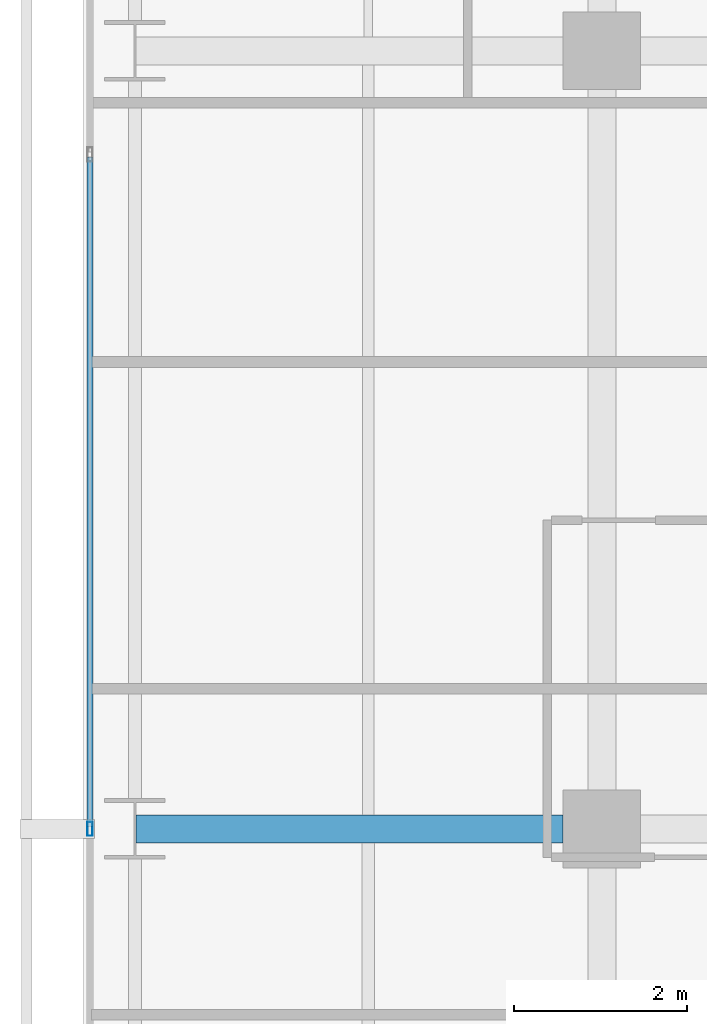
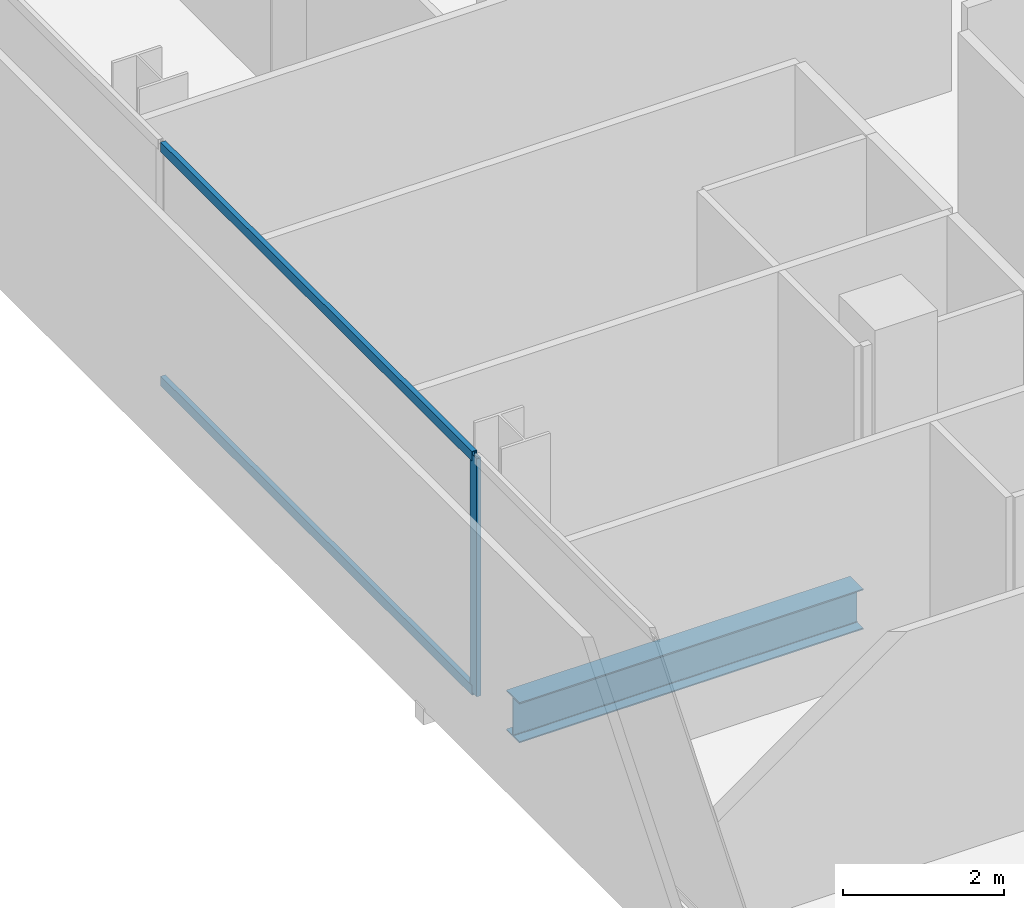
# One storey, part 12 of 40: 3 members, 1 beam, 1 element without a shape of its own.
"""IFC4 building model written with IfcOpenShell, lengths in metres."""

from ifc_helpers import new_model, si_unit, direction, frame, origin, origin_2d, place, context, subcontext, project, spatial, hollow_rectangle, i_section, extrude, material, layer, layer_set, material_profile, profile_set, type_object, element, aggregate, save


model = new_model("IFC4")

# Units and contexts
model_context = context("Model", 3, precision=1e-05, world=origin(), true_north=direction((0.0, 1.0)))
body_context = subcontext(model_context, "Body", "Model", "MODEL_VIEW")
ifc_project = project(units=[si_unit("LENGTHUNIT", "METRE"), si_unit("AREAUNIT", "SQUARE_METRE"), si_unit("VOLUMEUNIT", "CUBIC_METRE"), si_unit("PLANEANGLEUNIT", "RADIAN"), si_unit("MASSUNIT", "GRAM", prefix="KILO")], contexts=[model_context])

# Site, building, storey
site_placement = place(None, origin())
site = spatial("IfcSite", under=ifc_project, at=site_placement, CompositionType="ELEMENT")
building_placement = place(site_placement, origin())
building = spatial("IfcBuilding", under=site, at=building_placement, Name="Maruvema Waterfront Hotel and Observation Tower", CompositionType="ELEMENT")
storey_placement = place(building_placement, frame((0.0, 0.0, 103.949951171875)))
storey = spatial("IfcBuildingStorey", under=building, at=storey_placement, Name="L25", CompositionType="ELEMENT", Elevation=103.949951171875)

# Curtain wall, members
ifc_material_1 = material(Name="Anodised bronze aluminium and solar-control low-E IGU", Category="aluminium")
ifc_layer = layer(ifc_material_1, 0.159912109375, Name="Zone 1 Bronze Inner Thermal Curtain Wall System CW-02")
ifc_layer_set = layer_set([ifc_layer], Name="Anodised bronze aluminium and solar-control low-E IGU")
curtain_wall_type = type_object("IfcCurtainWallType", Name="Zone 1 Bronze Inner Thermal Curtain Wall System CW-02", PredefinedType="USERDEFINED", material=ifc_layer_set)
curtain_wall_placement = place(storey_placement, origin())
curtain_wall = element("IfcCurtainWall", 1, at=curtain_wall_placement, inside=storey, type_object=curtain_wall_type, Name="L25 Curtain Wall CW-L25-W", ObjectType="UNITISED CURTAIN WALL", PredefinedType="USERDEFINED")
ifc_material_2 = material(Name="Anodised architectural bronze aluminium", Category="aluminium")
ifc_material_profile_1 = material_profile(ifc_material_2, hollow_rectangle(XDim=0.070068359375, YDim=0.14990234375, WallThickness=0.00390625, at=origin_2d()), Name="ALU-T70x150")
ifc_profile_set_1 = profile_set([ifc_material_profile_1], Name="Anodised architectural bronze aluminium")
member_type_1 = type_object("IfcMemberType", Name="Curtain Wall Horizontal Transom ALU-T70x150", PredefinedType="USERDEFINED", material=ifc_profile_set_1)
member_1_placement = place(storey_placement, frame((10.8798828125, 34.77001953125, 0.030029296875), z_axis=(0.0, -1.0, 0.0), x_axis=(1.0, 0.0, 0.0)))
member_1 = element("IfcMember", 2, at=member_1_placement, type_object=member_type_1, Name="CW-02 transom 3.1", ObjectType="TRANSOM", PredefinedType="USERDEFINED", context=body_context, shape_type="SweptSolid", body=[
    extrude(hollow_rectangle(XDim=0.070068359375, YDim=0.14990234375, WallThickness=0.00390625, at=origin_2d()), origin(), (0.0, 0.0, 1.0), 7.739990234375),
])
member_2_placement = place(storey_placement, frame((10.8798828125, 34.77001953125, 3.580078125), z_axis=(0.0, -1.0, 0.0), x_axis=(1.0, 0.0, 0.0)))
member_2 = element("IfcMember", 3, at=member_2_placement, type_object=member_type_1, Name="CW-02 transom 3.2", ObjectType="TRANSOM", PredefinedType="USERDEFINED", context=body_context, shape_type="SweptSolid", body=[
    extrude(hollow_rectangle(XDim=0.070068359375, YDim=0.14990234375, WallThickness=0.00390625, at=origin_2d()), origin(), (0.0, 0.0, 1.0), 7.739990234375),
])
ifc_material_3 = material(Name="Anodised architectural bronze aluminium", Category="aluminium")
ifc_material_profile_2 = material_profile(ifc_material_3, hollow_rectangle(XDim=0.06494140625, YDim=0.1650390625, WallThickness=0.00390625, at=origin_2d()), Name="ALU-M65x165")
ifc_profile_set_2 = profile_set([ifc_material_profile_2], Name="Anodised architectural bronze aluminium")
member_type_2 = type_object("IfcMemberType", Name="Curtain Wall Primary Mullion ALU-M65x165", PredefinedType="MULLION", material=ifc_profile_set_2)
member_3_placement = place(storey_placement, frame((10.8798828125, 27.0, 0.0), z_axis=(0.0, 0.0, 1.0), x_axis=(1.0, 0.0, 0.0)))
member_3 = element("IfcMember", 4, at=member_3_placement, type_object=member_type_2, Name="CW-02 mullion 4", PredefinedType="MULLION", context=body_context, shape_type="SweptSolid", body=[
    extrude(hollow_rectangle(XDim=0.06494140625, YDim=0.1650390625, WallThickness=0.00390625, at=origin_2d()), origin(), (0.0, 0.0, 1.0), 3.610107421875),
])
aggregate(curtain_wall, [member_3, member_1, member_2])

# Beam
ifc_material_4 = material(Name="Steel ASTM A572 Grade 50", Category="steel")
ifc_material_profile_3 = material_profile(ifc_material_4, i_section(OverallWidth=0.323974609375, OverallDepth=0.611083984375, WebThickness=0.0126953125, FlangeThickness=0.01904296875, FilletRadius=0.01806640625, at=origin_2d()), Name="W610x155.0")
ifc_profile_set_3 = profile_set([ifc_material_profile_3], Name="Steel ASTM A572 Grade 50")
beam_type = type_object("IfcBeamType", Name="Primary Floor Girder W610x155.0", PredefinedType="BEAM", material=ifc_profile_set_3)
beam_placement = place(storey_placement, frame((11.4140625, 27.0, -0.54541015625), z_axis=(1.0, 0.0, 0.0), x_axis=(0.0, 1.0, 0.0)))
element("IfcBeam", 5, at=beam_placement, inside=storey, type_object=beam_type, Name="L25 Floor Girder EW-20", PredefinedType="BEAM", context=body_context, shape_type="SweptSolid", body=[
    extrude(i_section(OverallWidth=0.323974609375, OverallDepth=0.611083984375, WebThickness=0.0126953125, FlangeThickness=0.01904296875, FilletRadius=0.01806640625, at=origin_2d()), origin(), (0.0, 0.0, 1.0), 4.93603515625),
])

save(model, "model.ifc")
